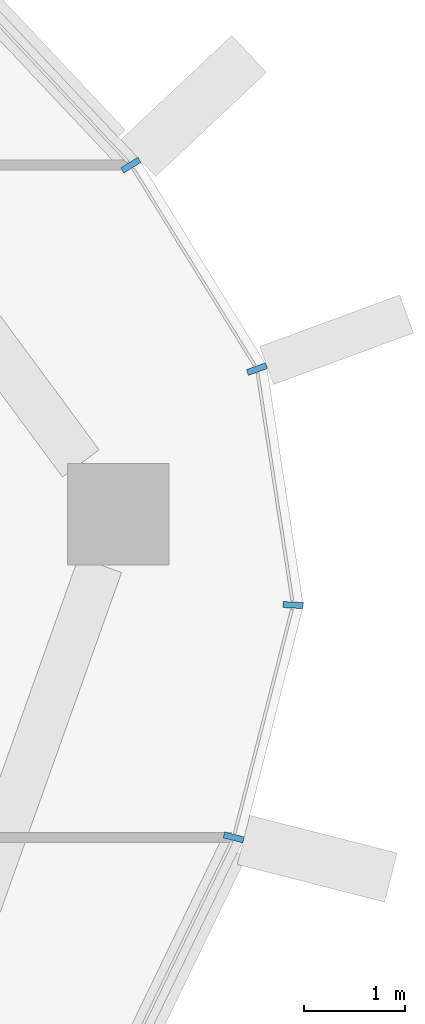
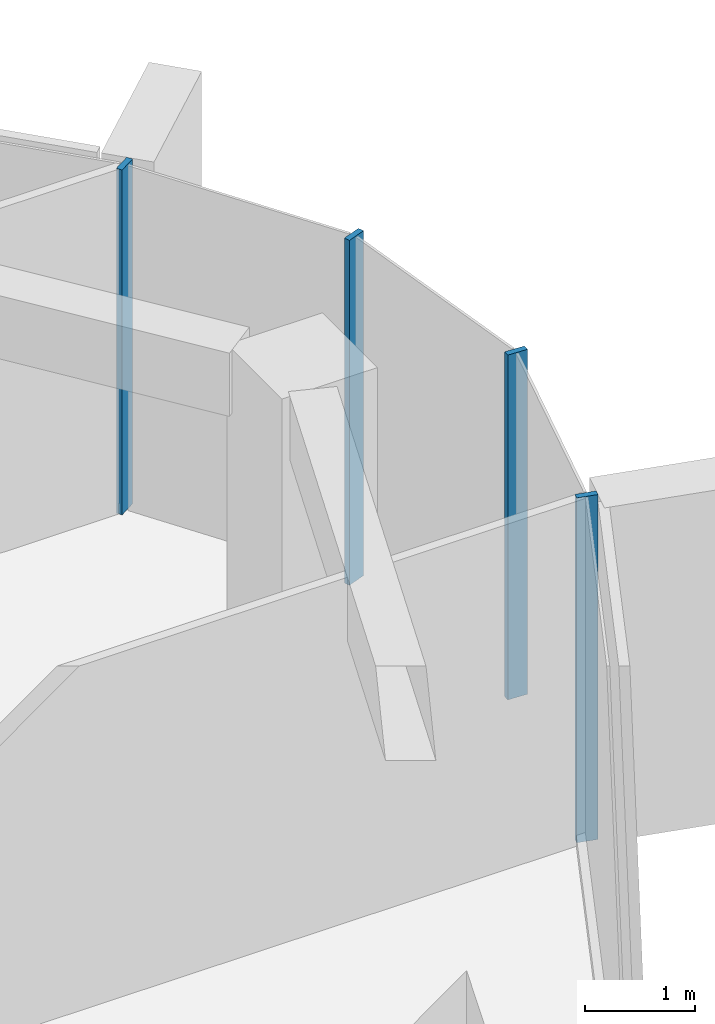
# One storey, part 10 of 24: 4 members, 1 element without a shape of its own.
"""IFC4 building model written with IfcOpenShell, lengths in metres."""

from ifc_helpers import new_model, si_unit, direction, frame, origin, origin_2d, place, context, subcontext, project, spatial, rectangle, extrude, material, layer, layer_set, material_profile, profile_set, type_object, element, aggregate, save


model = new_model("IFC4")

# Units and contexts
model_context = context("Model", 3, precision=1e-05, world=origin(), true_north=direction((0.0, 1.0)))
body_context = subcontext(model_context, "Body", "Model", "MODEL_VIEW")
ifc_project = project(units=[si_unit("LENGTHUNIT", "METRE"), si_unit("AREAUNIT", "SQUARE_METRE"), si_unit("VOLUMEUNIT", "CUBIC_METRE"), si_unit("PLANEANGLEUNIT", "RADIAN"), si_unit("MASSUNIT", "GRAM", prefix="KILO")], contexts=[model_context])

# Site, building, storey
site_placement = place(None, origin())
site = spatial("IfcSite", under=ifc_project, at=site_placement, CompositionType="ELEMENT")
building_placement = place(site_placement, origin())
building = spatial("IfcBuilding", under=site, at=building_placement, Name="Dongbaek Canopy Tower", CompositionType="ELEMENT")
storey_placement = place(building_placement, frame((0.0, 0.0, 298.39990234375)))
storey = spatial("IfcBuildingStorey", under=building, at=storey_placement, Name="L63", CompositionType="ELEMENT", Elevation=298.39990234375)

# Curtain wall, members
ifc_material_1 = material(Name="Aluminium 6063-T6 pale anodised", Category="aluminium")
ifc_layer = layer(ifc_material_1, 0.199951171875)
ifc_layer_set = layer_set([ifc_layer], Name="CW-1 unitised tower curtain wall")
curtain_wall_type = type_object("IfcCurtainWallType", Name="CW-1 unitised tower curtain wall", PredefinedType="NOTDEFINED", material=ifc_layer_set)
curtain_wall_placement = place(storey_placement, origin())
curtain_wall = element("IfcCurtainWall", 1, at=curtain_wall_placement, inside=storey, type_object=curtain_wall_type, Name="CW-1 curtain wall K0.1", PredefinedType="NOTDEFINED")
ifc_material_2 = material(Name="Aluminium 6063-T6 pale anodised", Category="aluminium")
ifc_material_profile = material_profile(ifc_material_2, rectangle(XDim=0.199951171875, YDim=0.06005859375, at=origin_2d()), Name="CW-1 mullion 60 x 200")
ifc_profile_set = profile_set([ifc_material_profile], Name="Aluminium 6063-T6 pale anodised")
member_type = type_object("IfcMemberType", Name="CW-1 mullion 60 x 200", PredefinedType="MULLION", material=ifc_profile_set)
member_1_placement = place(storey_placement, frame((31.943359375, 3.51123046875, 0.0), z_axis=(0.0, 0.0, 1.0), x_axis=(0.968887047372, -0.247503311967, 0.0)))
member_1 = element("IfcMember", 2, at=member_1_placement, type_object=member_type, Name="CW-1 mullion K0.1.1", PredefinedType="MULLION", context=body_context, shape_type="SweptSolid", body=[
    extrude(rectangle(XDim=0.199951171875, YDim=0.06005859375, at=origin_2d()), origin(), (0.0, 0.0, 1.0), 3.820068359375),
])
member_2_placement = place(storey_placement, frame((32.528564453125, 5.8017578125, 0.0), z_axis=(0.0, 0.0, 1.0), x_axis=(0.99878954122, -0.049187928895, 0.0)))
member_2 = element("IfcMember", 3, at=member_2_placement, type_object=member_type, Name="CW-1 mullion K0.1.2", PredefinedType="MULLION", context=body_context, shape_type="SweptSolid", body=[
    extrude(rectangle(XDim=0.199951171875, YDim=0.06005859375, at=origin_2d()), origin(), (0.0, 0.0, 1.0), 3.820068359375),
])
member_3_placement = place(storey_placement, frame((32.1728515625, 8.12841796875, 0.0), z_axis=(0.0, 0.0, 1.0), x_axis=(0.938484314321, 0.34532186692, 0.0)))
member_3 = element("IfcMember", 4, at=member_3_placement, type_object=member_type, Name="CW-1 mullion K0.1.3", PredefinedType="MULLION", context=body_context, shape_type="SweptSolid", body=[
    extrude(rectangle(XDim=0.199951171875, YDim=0.06005859375, at=origin_2d()), origin(), (0.0, 0.0, 1.0), 3.820068359375),
])
member_4_placement = place(storey_placement, frame((30.93017578125, 10.1396484375, 0.0), z_axis=(0.0, 0.0, 1.0), x_axis=(0.850702259789, 0.525647852836, 0.0)))
member_4 = element("IfcMember", 5, at=member_4_placement, type_object=member_type, Name="CW-1 mullion K0.1.4", PredefinedType="MULLION", context=body_context, shape_type="SweptSolid", body=[
    extrude(rectangle(XDim=0.199951171875, YDim=0.06005859375, at=origin_2d()), origin(), (0.0, 0.0, 1.0), 3.820068359375),
])
aggregate(curtain_wall, [member_1, member_2, member_3, member_4])

save(model, "model.ifc")
